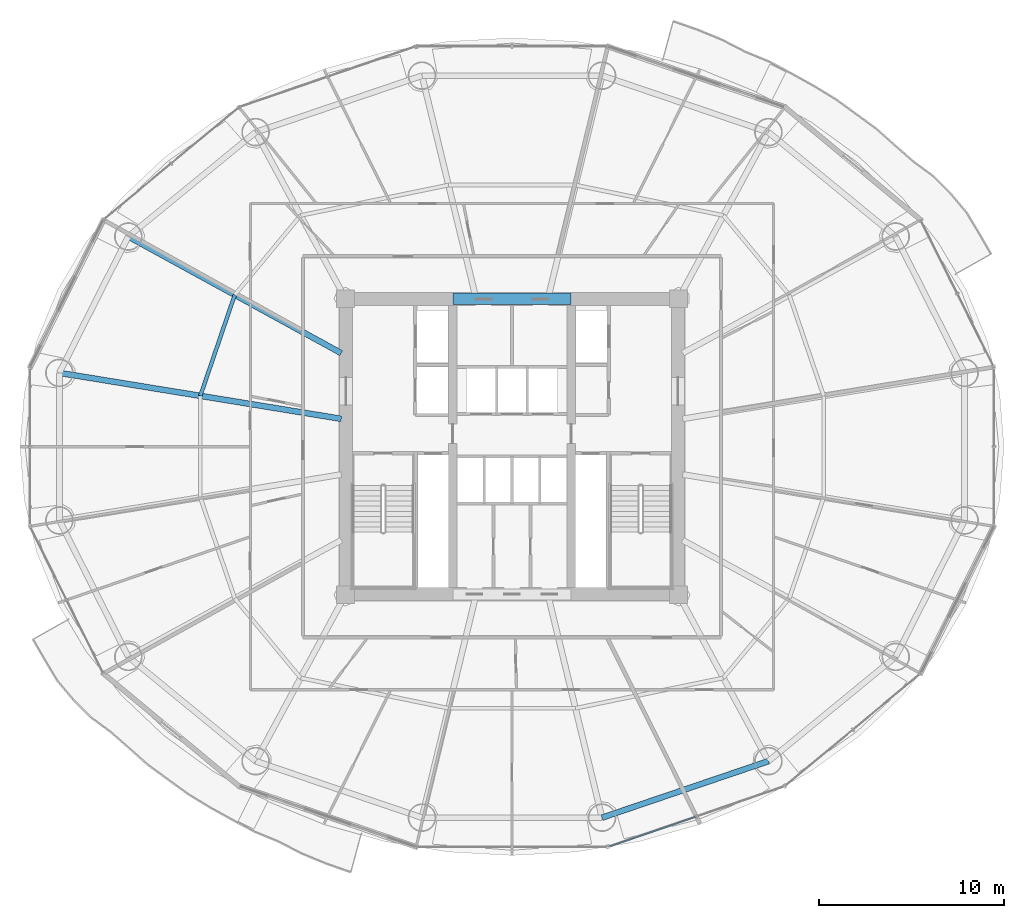
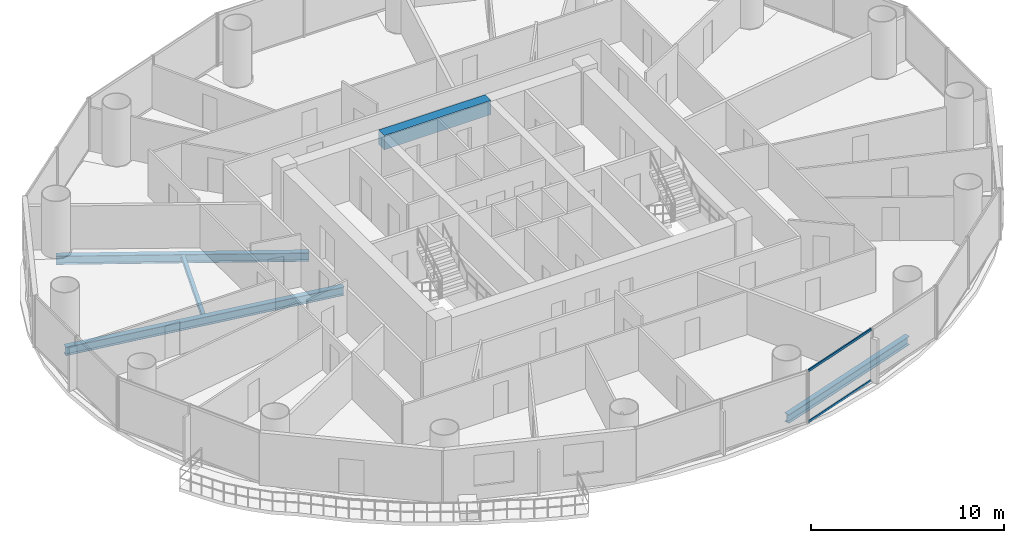
# One storey, part 9 of 28: 5 beams, 2 members, 1 element without a shape of its own.
"""IFC4 building model written with IfcOpenShell, lengths in metres."""

from ifc_helpers import new_model, si_unit, direction, frame, origin, origin_2d, place, context, subcontext, project, spatial, rectangle, hollow_rectangle, i_section, extrude, source, transform, mapped, material, material_profile, profile_set, type_object, element, aggregate, save


model = new_model("IFC4")

# Units and contexts
model_context = context("Model", 3, precision=1e-05, world=origin(), true_north=direction((-0.2419218956, 0.970295726276)))
body_context = subcontext(model_context, "Body", "Model", "MODEL_VIEW")
ifc_project = project(units=[si_unit("LENGTHUNIT", "METRE"), si_unit("AREAUNIT", "SQUARE_METRE"), si_unit("VOLUMEUNIT", "CUBIC_METRE"), si_unit("PLANEANGLEUNIT", "RADIAN"), si_unit("MASSUNIT", "GRAM", prefix="KILO")], contexts=[model_context])

# Site, building, storey
site_placement = place(None, origin())
site = spatial("IfcSite", under=ifc_project, at=site_placement, CompositionType="ELEMENT")
building_placement = place(site_placement, origin())
building = spatial("IfcBuilding", under=site, at=building_placement, Name="Cobrevalo Terracotta Tower", CompositionType="ELEMENT")
storey_placement = place(building_placement, frame((0.0, 0.0, 101.39990234375)))
storey = spatial("IfcBuildingStorey", under=building, at=storey_placement, Name="L26", CompositionType="ELEMENT", Elevation=101.39990234375)

# Beams
ifc_material_1 = material(Name="Concrete C60", Category="concrete")
ifc_material_profile_1 = material_profile(ifc_material_1, rectangle(XDim=0.60009765625, YDim=0.89990234375, at=origin_2d()), Name="RC CB 600x900")
ifc_profile_set_1 = profile_set([ifc_material_profile_1], Name="Concrete C60")
beam_type_1 = type_object("IfcBeamType", Name="Structural Beam RC CB 600x900 (Concrete C60)", PredefinedType="BEAM", material=ifc_profile_set_1)
beam_1_placement = place(storey_placement, frame((34.800048828125, 34.800048828125, 2.875), z_axis=(1.0, 0.0, 0.0), x_axis=(0.0, 1.0, 0.0)))
element("IfcBeam", 1, at=beam_1_placement, inside=storey, type_object=beam_type_1, Name="L26 core coupling beam 2", PredefinedType="BEAM", context=body_context, shape_type="SweptSolid", body=[
    extrude(rectangle(XDim=0.60009765625, YDim=0.89990234375, at=origin_2d()), origin(), (0.0, 0.0, 1.0), 6.39990234375),
])
ifc_material_2 = material(Name="Steel S355", Category="steel")
ifc_material_profile_2 = material_profile(ifc_material_2, i_section(OverallWidth=0.31201171875, OverallDepth=0.54296875, WebThickness=0.0126953125, FlangeThickness=0.020263671875, at=origin_2d()), Name="W 530x150")
ifc_profile_set_2 = profile_set([ifc_material_profile_2], Name="Steel S355")
beam_type_2 = type_object("IfcBeamType", Name="Structural Beam W 530x150 (Steel S355)", PredefinedType="BEAM", material=ifc_profile_set_2)
beam_2_placement = place(storey_placement, frame((17.2548828125, 38.161376953125, -0.54638671875), z_axis=(0.877080599376, -0.480343233738, 0.0), x_axis=(0.480343233738, 0.877080599376, 0.0)))
element("IfcBeam", 2, at=beam_2_placement, inside=storey, type_object=beam_type_2, Name="L26 radial floor girder 07", PredefinedType="BEAM", context=body_context, shape_type="SweptSolid", body=[
    extrude(i_section(OverallWidth=0.31201171875, OverallDepth=0.54296875, WebThickness=0.0126953125, FlangeThickness=0.020263671875, at=origin_2d()), origin(), (0.0, 0.0, 1.0), 13.12890625),
])
beam_3_placement = place(storey_placement, frame((13.529296875, 30.78955078125, -0.54638671875), z_axis=(0.986970567439, -0.160900898101, 0.0), x_axis=(0.160900898101, 0.986970567439, 0.0)))
element("IfcBeam", 3, at=beam_3_placement, inside=storey, type_object=beam_type_2, Name="L26 radial floor girder 08", PredefinedType="BEAM", context=body_context, shape_type="SweptSolid", body=[
    extrude(i_section(OverallWidth=0.31201171875, OverallDepth=0.54296875, WebThickness=0.0126953125, FlangeThickness=0.020263671875, at=origin_2d()), origin(), (0.0, 0.0, 1.0), 15.44189453125),
])
ifc_material_profile_3 = material_profile(ifc_material_2, i_section(OverallWidth=0.2041015625, OverallDepth=0.305908203125, WebThickness=0.008544921875, FlangeThickness=0.0146484375, at=origin_2d()), Name="W 310x67")
ifc_profile_set_3 = profile_set([ifc_material_profile_3], Name="Steel S355")
beam_type_3 = type_object("IfcBeamType", Name="Structural Joist W 310x67 (Steel S355)", PredefinedType="JOIST", material=ifc_profile_set_3)
beam_4_placement = place(storey_placement, frame((23.012451171875, 35.00830078125, -0.427978515625), z_axis=(-0.322833299398, -0.94645584197, 0.0), x_axis=(0.94645584197, -0.322833299398, 0.0)))
element("IfcBeam", 4, at=beam_4_placement, inside=storey, type_object=beam_type_3, Name="L26 circumferential secondary floor joist 07", PredefinedType="JOIST", context=body_context, shape_type="SweptSolid", body=[
    extrude(i_section(OverallWidth=0.2041015625, OverallDepth=0.305908203125, WebThickness=0.008544921875, FlangeThickness=0.0146484375, at=origin_2d()), origin(), (0.0, 0.0, 1.0), 5.77001953125),
])
ifc_material_profile_4 = material_profile(ifc_material_2, i_section(OverallWidth=0.31201171875, OverallDepth=0.54296875, WebThickness=0.0126953125, FlangeThickness=0.020263671875, at=origin_2d()), Name="W 530x150")
ifc_profile_set_4 = profile_set([ifc_material_profile_4], Name="Steel S355")
beam_type_4 = type_object("IfcBeamType", Name="Structural Spandrel W 530x150 (Steel S355)", PredefinedType="SPANDREL", material=ifc_profile_set_4)
beam_5_placement = place(storey_placement, frame((42.867431640625, 6.742919921875, -0.54638671875), z_axis=(0.94691835344, 0.321474154356, 0.0), x_axis=(-0.321474154356, 0.94691835344, 0.0)))
element("IfcBeam", 5, at=beam_5_placement, inside=storey, type_object=beam_type_4, Name="L26 perimeter ring spandrel 13", PredefinedType="SPANDREL", context=body_context, shape_type="SweptSolid", body=[
    extrude(i_section(OverallWidth=0.31201171875, OverallDepth=0.54296875, WebThickness=0.0126953125, FlangeThickness=0.020263671875, at=origin_2d()), origin(), (0.0, 0.0, 1.0), 9.498291015625),
])

# Curtain wall, members
ifc_material_3 = material(Name="Anodized aluminium", Category="aluminium")
curtain_wall_type = type_object("IfcCurtainWallType", Name="Lower-tower unitised acoustic low-E curtain wall CW-U1", PredefinedType="NOTDEFINED", material=ifc_material_3)
curtain_wall_placement = place(storey_placement, origin())
curtain_wall = element("IfcCurtainWall", 6, at=curtain_wall_placement, inside=storey, type_object=curtain_wall_type, Name="L26 curtain wall CW-L26-S13", PredefinedType="NOTDEFINED")
ifc_material_profile_5 = material_profile(ifc_material_3, hollow_rectangle(XDim=0.074951171875, YDim=0.14990234375, WallThickness=0.00439453125, at=origin_2d()), Name="CWT 75x150")
ifc_profile_set_5 = profile_set([ifc_material_profile_5], Name="Anodized aluminium")
member_type = type_object("IfcMemberType", Name="Tower unitised aluminium transom 75x150", PredefinedType="USERDEFINED", material=ifc_profile_set_5)
shared_shape = source(origin(), body_context, "Body", "SweptSolid", [
    extrude(hollow_rectangle(XDim=0.074951171875, YDim=0.14990234375, WallThickness=0.00439453125, at=origin_2d()), origin(), (0.0, 0.0, 1.0), 4.944580078125),
])
member_1_placement = place(storey_placement, frame((43.25927734375, 5.18017578125, 0.050048828125), z_axis=(0.945597859971, 0.32533780478, 0.0), x_axis=(-0.32533780478, 0.945597859971, 0.0)))
member_1 = element("IfcMember", 7, at=member_1_placement, type_object=member_type, Name="CW-L26-S13 transom B01-T1", ObjectType="TRANSOM", PredefinedType="USERDEFINED", context=body_context, shape_type="MappedRepresentation", body=[
    mapped(shared_shape, transform((0.0, 0.0, 0.0), scale=1.0)),
])
member_2_placement = place(storey_placement, frame((43.25927734375, 5.18017578125, 3.275146484375), z_axis=(0.945597859971, 0.32533780478, 0.0), x_axis=(-0.32533780478, 0.945597859971, 0.0)))
member_2 = element("IfcMember", 8, at=member_2_placement, type_object=member_type, Name="CW-L26-S13 transom B01-T2", ObjectType="TRANSOM", PredefinedType="USERDEFINED", context=body_context, shape_type="MappedRepresentation", body=[
    mapped(shared_shape, transform((0.0, 0.0, 0.0), scale=1.0)),
])
aggregate(curtain_wall, [member_1, member_2])

save(model, "model.ifc")
